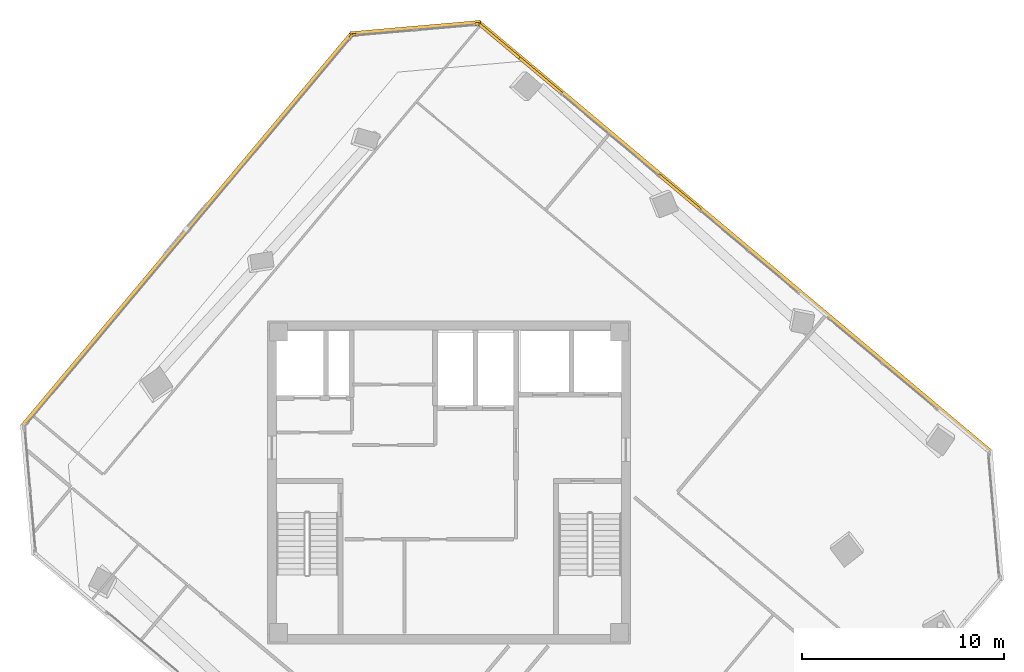
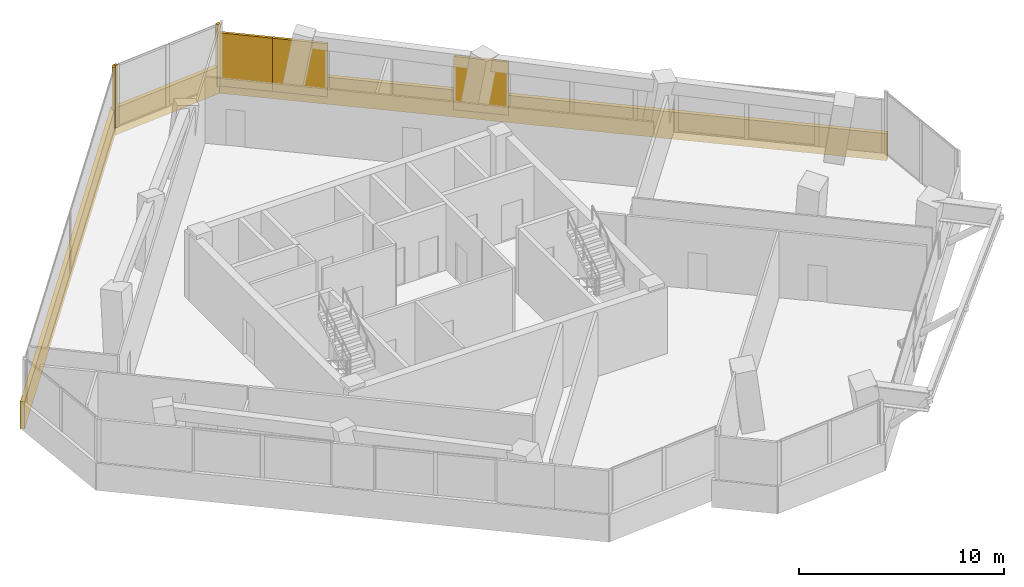
# One storey, part 18 of 18: 9 coverings.
"""IFC4 building model written with IfcOpenShell, lengths in metres."""

from ifc_helpers import new_model, si_unit, direction, frame, origin, origin_2d, place, context, subcontext, project, spatial, rectangle, extrude, source, transform, mapped, material, layer, layer_set, type_object, element, save


model = new_model("IFC4")

# Units and contexts
model_context = context("Model", 3, precision=1e-05, world=origin(), true_north=direction((0.0, 1.0)))
body_context = subcontext(model_context, "Body", "Model", "MODEL_VIEW")
ifc_project = project(units=[si_unit("LENGTHUNIT", "METRE"), si_unit("AREAUNIT", "SQUARE_METRE"), si_unit("VOLUMEUNIT", "CUBIC_METRE"), si_unit("PLANEANGLEUNIT", "RADIAN"), si_unit("MASSUNIT", "GRAM", prefix="KILO")], contexts=[model_context])

# Site, building, storey
site_placement = place(None, origin())
site = spatial("IfcSite", under=ifc_project, at=site_placement, CompositionType="ELEMENT")
building_placement = place(site_placement, origin())
building = spatial("IfcBuilding", under=site, at=building_placement, Name="Torre Montelarca", CompositionType="ELEMENT")
storey_placement = place(building_placement, frame((0.0, 0.0, 224.800048828125)))
storey = spatial("IfcBuildingStorey", under=building, at=storey_placement, Name="L50", CompositionType="ELEMENT", Elevation=224.800048828125)

# Coverings
ifc_material = material(Name="Bush-hammered warm white precast concrete C45/55", Category="concrete")
ifc_layer = layer(ifc_material, 0.139892578125, Name="Bush-hammered warm white precast concrete C45/55", Category="concrete")
ifc_layer_set = layer_set([ifc_layer], Name="Bush-hammered warm white precast concrete C45/55")
covering_type = type_object("IfcCoveringType", Name="COV-TRAY-CLAD", PredefinedType="CLADDING", material=ifc_layer_set)
shared_shape_1 = source(origin(), body_context, "Body", "SweptSolid", [
    extrude(rectangle(XDim=6.48388671875, YDim=0.219970703125, at=origin_2d()), origin(), (0.0, 0.0, 1.0), 1.6201171875),
])
covering_1_placement = place(storey_placement, frame((16.3359375, 54.515869140625, -0.4501953125), z_axis=(0.0, 0.0, 1.0), x_axis=(-0.996194089606, -0.087162697497, 0.0)))
element("IfcCovering", 1, at=covering_1_placement, inside=storey, type_object=covering_type, Name="L50 Architectural White Spandrel Tray Band TRYBOT-09", PredefinedType="CLADDING", context=body_context, shape_type="MappedRepresentation", body=[
    mapped(shared_shape_1, transform((0.0, 0.0, 0.0), scale=1.0)),
])
shared_shape_2 = source(origin(), body_context, "Body", "SweptSolid", [
    extrude(rectangle(XDim=25.52001953125, YDim=0.219970703125, at=origin_2d()), origin(), (0.0, 0.0, 1.0), 1.6201171875),
])
covering_2_placement = place(storey_placement, frame((5.023193359375, 44.5205078125, -0.4501953125), z_axis=(0.0, 0.0, 1.0), x_axis=(-0.642787609687, -0.766044443119, 0.0)))
element("IfcCovering", 2, at=covering_2_placement, inside=storey, type_object=covering_type, Name="L50 Architectural White Spandrel Tray Band TRYBOT-10", PredefinedType="CLADDING", context=body_context, shape_type="MappedRepresentation", body=[
    mapped(shared_shape_2, transform((0.0, 0.0, 0.0), scale=1.0)),
])
shared_shape_3 = source(origin(), body_context, "Body", "SweptSolid", [
    extrude(rectangle(XDim=0.199951171875, YDim=0.139892578125, at=origin_2d()), origin(), (0.0, 0.0, 1.0), 3.719970703125),
])
for number, where, z_axis, x_axis, name in (
    (3, (19.3955078125, 54.723388671875, 0.0), (0.0, 0.0, 1.0), (-0.996192872488, -0.087176606982, 0.0), "L50 Architectural Column Pier Cladding E09-1"),
    (4, (13.286865234375, 54.188720703125, 0.0), (0.0, 0.0, 1.0), (-0.996192872488, -0.087176606982, 0.0), "L50 Architectural Column Pier Cladding E09-2"),
    (5, (13.157958984375, 54.121826171875, 0.0), (0.0, 0.0, 1.0), (-0.642788946685, -0.766043321242, 0.0), "L50 Architectural Column Pier Cladding E10-1"),
):
    element("IfcCovering", number, at=place(storey_placement, frame(where, z_axis=z_axis, x_axis=x_axis)), inside=storey, type_object=covering_type, Name=name, PredefinedType="CLADDING", context=body_context, shape_type="MappedRepresentation", body=[
        mapped(shared_shape_3, transform((0.0, 0.0, 0.0), scale=1.0)),
    ])
shared_shape_4 = source(origin(), body_context, "Body", "SweptSolid", [
    extrude(rectangle(XDim=2.72412109375, YDim=0.139892578125, at=origin_2d()), origin(), (0.0, 0.0, 1.0), 3.175048828125),
])
covering_3_placement = place(storey_placement, frame((29.4287109375, 46.377197265625, 0.0), z_axis=(0.0, 0.0, 1.0), x_axis=(-0.766043321242, 0.642788946685, 0.0)))
element("IfcCovering", 6, at=covering_3_placement, inside=storey, type_object=covering_type, Name="L50 Architectural Column Pier Cladding E08-4", PredefinedType="CLADDING", context=body_context, shape_type="MappedRepresentation", body=[
    mapped(shared_shape_4, transform((0.0, 0.0, 0.0), scale=1.0)),
])
shared_shape_5 = source(origin(), body_context, "Body", "SweptSolid", [
    extrude(rectangle(XDim=2.732666015625, YDim=0.139892578125, at=origin_2d()), origin(), (0.0, 0.0, 1.0), 3.175048828125),
])
covering_4_placement = place(storey_placement, frame((22.537353515625, 52.15966796875, 0.0), z_axis=(0.0, 0.0, 1.0), x_axis=(-0.766043321242, 0.642788946685, 0.0)))
element("IfcCovering", 7, at=covering_4_placement, inside=storey, type_object=covering_type, Name="L50 Architectural Column Pier Cladding E08-5", PredefinedType="CLADDING", context=body_context, shape_type="MappedRepresentation", body=[
    mapped(shared_shape_5, transform((0.0, 0.0, 0.0), scale=1.0)),
])
shared_shape_6 = source(origin(), body_context, "Body", "SweptSolid", [
    extrude(rectangle(XDim=2.754150390625, YDim=0.139892578125, at=origin_2d()), origin(), (0.0, 0.0, 1.0), 3.175048828125),
])
covering_5_placement = place(storey_placement, frame((20.512451171875, 53.85888671875, 0.0), z_axis=(0.0, 0.0, 1.0), x_axis=(-0.766043321242, 0.642788946685, 0.0)))
element("IfcCovering", 8, at=covering_5_placement, inside=storey, type_object=covering_type, Name="L50 Architectural Column Pier Cladding E08-6", PredefinedType="CLADDING", context=body_context, shape_type="MappedRepresentation", body=[
    mapped(shared_shape_6, transform((0.0, 0.0, 0.0), scale=1.0)),
])
shared_shape_7 = source(origin(), body_context, "Body", "SweptSolid", [
    extrude(rectangle(XDim=33.219970703125, YDim=0.219970703125, at=origin_2d()), origin(), (0.0, 0.0, 1.0), 1.6201171875),
])
covering_6_placement = place(storey_placement, frame((32.162109375, 44.162109375, -0.4501953125), z_axis=(0.0, 0.0, 1.0), x_axis=(-0.766044443119, 0.642787609687, 0.0)))
element("IfcCovering", 9, at=covering_6_placement, inside=storey, type_object=covering_type, Name="L50 Architectural White Spandrel Tray Band TRYBOT-08", PredefinedType="CLADDING", context=body_context, shape_type="MappedRepresentation", body=[
    mapped(shared_shape_7, transform((0.0, 0.0, 0.0), scale=1.0)),
])

save(model, "model.ifc")
